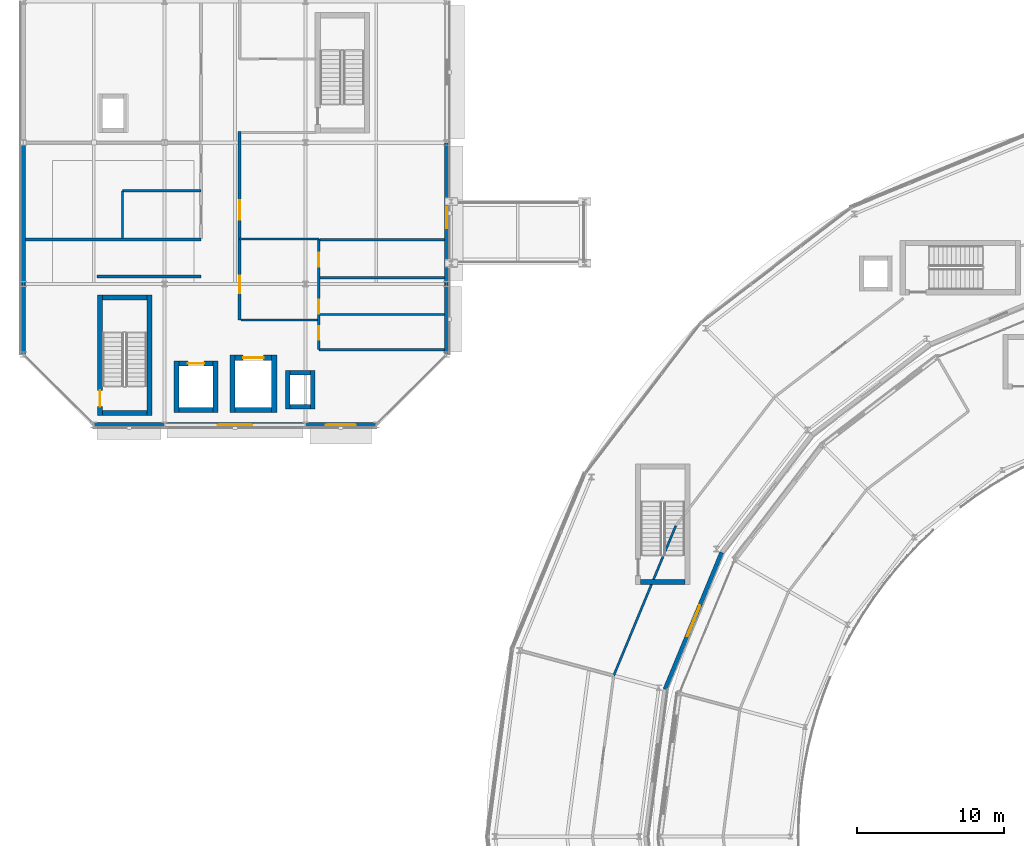
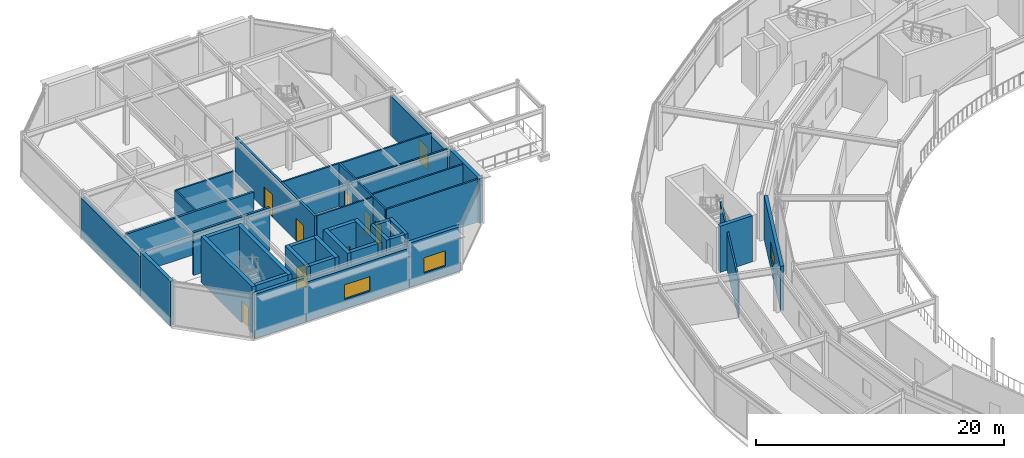
# One storey, part 120 of 157: 38 walls, 9 doors, 3 windows, 12 openings.
"""IFC4 building model written with IfcOpenShell, lengths in metres."""

from ifc_helpers import new_model, si_unit, direction, frame, frame_2d, origin, place, context, subcontext, project, spatial, rectangle, extrude, material, layer, layer_set, type_object, element, fill, save


model = new_model("IFC4")

# Units and contexts
model_context = context("Model", 3, precision=1e-05, world=origin(), true_north=direction((0.0, 1.0)))
body_context = subcontext(model_context, "Body", "Model", "MODEL_VIEW")
ifc_project = project(units=[si_unit("LENGTHUNIT", "METRE"), si_unit("AREAUNIT", "SQUARE_METRE"), si_unit("VOLUMEUNIT", "CUBIC_METRE"), si_unit("PLANEANGLEUNIT", "RADIAN"), si_unit("MASSUNIT", "GRAM", prefix="KILO")], contexts=[model_context])

# Site, building, storey
site_placement = place(None, origin())
site = spatial("IfcSite", under=ifc_project, at=site_placement, CompositionType="ELEMENT")
building_placement = place(site_placement, origin())
building = spatial("IfcBuilding", under=site, at=building_placement, Name="Almandine Court Research Institute", CompositionType="ELEMENT")
storey_placement = place(building_placement, frame((0.0, 0.0, 5.25)))
storey = spatial("IfcBuildingStorey", under=building, at=storey_placement, Name="L01", CompositionType="ELEMENT", Elevation=5.25)

# Walls
ifc_material_1 = material(Name="Air-Sealed Cleanroom Envelope Wall")
ifc_layer_1 = layer(ifc_material_1, 0.324951171875)
ifc_layer_set_1 = layer_set([ifc_layer_1], Name="Air-Sealed Cleanroom Envelope Wall")
wall_type_1 = type_object("IfcWallType", Name="Wall-EXT-CR-325", PredefinedType="SOLIDWALL", material=ifc_layer_set_1)
wall_1_placement = place(storey_placement, frame((6.0, 88.803955078125, 0.0), z_axis=(0.0, 0.0, 1.0), x_axis=(0.0, 1.0, 0.0)))
element("IfcWall", 1, at=wall_1_placement, inside=storey, type_object=wall_type_1, Name="L01 Cleanroom West Wall 1", PredefinedType="SOLIDWALL", context=body_context, shape_type="SweptSolid", body=[
    extrude(rectangle(XDim=4.7919921875, YDim=0.324951171875, at=frame_2d((2.39599609375, 0.0))), origin(), (0.0, 0.0, 1.0), 4.3701171875),
])
wall_2_placement = place(storey_placement, frame((6.0, 93.60400390625, 0.0), z_axis=(0.0, 0.0, 1.0), x_axis=(0.0, 1.0, 0.0)))
element("IfcWall", 2, at=wall_2_placement, inside=storey, type_object=wall_type_1, Name="L01 Cleanroom West Wall 2", PredefinedType="SOLIDWALL", context=body_context, shape_type="SweptSolid", body=[
    extrude(rectangle(XDim=9.592041015625, YDim=0.324951171875, at=frame_2d((4.7958984375, 0.0))), origin(), (0.0, 0.0, 1.0), 3.884033203125),
])
wall_3_placement = place(storey_placement, frame((34.800048828125, 93.595947265625, 0.0), z_axis=(0.0, 0.0, 1.0), x_axis=(0.0, -1.0, 0.0)))
element("IfcWall", 3, at=wall_3_placement, inside=storey, type_object=wall_type_1, Name="L01 Cleanroom East Wall 1", PredefinedType="SOLIDWALL", context=body_context, shape_type="SweptSolid", body=[
    extrude(rectangle(XDim=4.7919921875, YDim=0.324951171875, at=frame_2d((2.39599609375, 0.0))), origin(), (0.0, 0.0, 1.0), 4.3701171875),
])

# Wall, opening, door
wall_4_placement = place(storey_placement, frame((34.800048828125, 103.196044921875, 0.0), z_axis=(0.0, 0.0, 1.0), x_axis=(0.0, -1.0, 0.0)))
wall_4 = element("IfcWall", 4, at=wall_4_placement, inside=storey, type_object=wall_type_1, Name="L01 Cleanroom East Wall 2", PredefinedType="SOLIDWALL", context=body_context, shape_type="SweptSolid", body=[
    extrude(rectangle(XDim=9.592041015625, YDim=0.324951171875, at=frame_2d((4.7958984375, 0.0))), origin(), (0.0, 0.0, 1.0), 3.862060546875),
])
opening_1_placement = place(wall_4_placement, frame((4.39990234375, 0.0, 0.0)))
opening_1 = element("IfcOpeningElement", 5, at=opening_1_placement, cuts=wall_4, Name="Opening TD-01", PredefinedType="OPENING", context=body_context, shape_type="SweptSolid", body=[
    extrude(rectangle(XDim=1.39990234375, YDim=2.199951171875, at=frame_2d((0.699951171875, 1.10009765625))), frame((0.0, 0.17236328125, 0.0), z_axis=(0.0, -1.0, 0.0), x_axis=(1.0, 0.0, 0.0)), (0.0, 0.0, 1.0), 0.344970703125),
])
ifc_material_2 = material(Name="Thermally Broken Glazed Terrace Door")
door_type_1 = type_object("IfcDoorType", Name="Door-TER-1400", OperationType="DOUBLE_DOOR_SINGLE_SWING", PredefinedType="DOOR", material=ifc_material_2)
door_1_placement = place(opening_1_placement, origin())
door_1 = element("IfcDoor", 6, at=door_1_placement, inside=storey, type_object=door_type_1, Name="L01 Northwest Dalan Bridge Door", OperationType="DOUBLE_DOOR_SINGLE_SWING", OverallHeight=2.199951171875, OverallWidth=1.39990234375, PredefinedType="DOOR", context=body_context, shape_type="SweptSolid", body=[
    extrude(rectangle(XDim=1.39990234375, YDim=2.199951171875, at=frame_2d((0.699951171875, 1.10009765625))), frame((0.0, 0.02490234375, 0.0), z_axis=(0.0, -1.0, 0.0), x_axis=(1.0, 0.0, 0.0)), (0.0, 0.0, 1.0), 0.050048828125),
])
fill(opening_1, door_1)

# Wall, opening, window
wall_5_placement = place(storey_placement, frame((29.99609375, 84.0, 0.0), z_axis=(0.0, 0.0, 1.0), x_axis=(-1.0, 0.0, 0.0)))
wall_5 = element("IfcWall", 7, at=wall_5_placement, inside=storey, type_object=wall_type_1, Name="L01 Cleanroom South Wall 1", PredefinedType="SOLIDWALL", context=body_context, shape_type="SweptSolid", body=[
    extrude(rectangle(XDim=4.7919921875, YDim=0.324951171875, at=frame_2d((2.39599609375, 0.0))), origin(), (0.0, 0.0, 1.0), 4.3701171875),
])
opening_2_placement = place(wall_5_placement, frame((1.3759765625, 0.0, 0.949951171875)))
opening_2 = element("IfcOpeningElement", 8, at=opening_2_placement, cuts=wall_5, Name="Opening WN-24", PredefinedType="OPENING", context=body_context, shape_type="SweptSolid", body=[
    extrude(rectangle(XDim=2.0400390625, YDim=1.510009765625, at=frame_2d((1.02001953125, 0.7548828125))), frame((0.0, 0.17236328125, 0.0), z_axis=(0.0, -1.0, 0.0), x_axis=(1.0, 0.0, 0.0)), (0.0, 0.0, 1.0), 0.344970703125),
])
ifc_material_3 = material(Name="Thermally Broken Low-E Double-Glazed Window", Category="glass")
window_type_1 = type_object("IfcWindowType", Name="Win-WN-24-2040x1510", PartitioningType="SINGLE_PANEL", PredefinedType="WINDOW", material=ifc_material_3)
window_1_placement = place(opening_2_placement, origin())
window_1 = element("IfcWindow", 9, at=window_1_placement, inside=storey, type_object=window_type_1, Name="L01 Modular Recessed Low-E Window 38", OverallHeight=1.510009765625, OverallWidth=2.0400390625, PartitioningType="SINGLE_PANEL", PredefinedType="WINDOW", context=body_context, shape_type="SweptSolid", body=[
    extrude(rectangle(XDim=2.0400390625, YDim=1.510009765625, at=frame_2d((1.02001953125, 0.7548828125))), frame((0.0, 0.030029296875, 0.0), z_axis=(0.0, -1.0, 0.0), x_axis=(1.0, 0.0, 0.0)), (0.0, 0.0, 1.0), 0.06005859375),
])
fill(opening_2, window_1)

wall_6_placement = place(storey_placement, frame((25.196044921875, 84.0, 0.0), z_axis=(0.0, 0.0, 1.0), x_axis=(-1.0, 0.0, 0.0)))
wall_6 = element("IfcWall", 10, at=wall_6_placement, inside=storey, type_object=wall_type_1, Name="L01 Cleanroom South Wall 2", PredefinedType="SOLIDWALL", context=body_context, shape_type="SweptSolid", body=[
    extrude(rectangle(XDim=9.592041015625, YDim=0.324951171875, at=frame_2d((4.7958984375, 0.0))), origin(), (0.0, 0.0, 1.0), 3.884033203125),
])
opening_3_placement = place(wall_6_placement, frame((3.611083984375, 0.0, 0.949951171875)))
opening_3 = element("IfcOpeningElement", 11, at=opening_3_placement, cuts=wall_6, Name="Opening WN-25", PredefinedType="OPENING", context=body_context, shape_type="SweptSolid", body=[
    extrude(rectangle(XDim=2.3701171875, YDim=1.429931640625, at=frame_2d((1.18505859375, 0.71484375))), frame((0.0, 0.17236328125, 0.0), z_axis=(0.0, -1.0, 0.0), x_axis=(1.0, 0.0, 0.0)), (0.0, 0.0, 1.0), 0.344970703125),
])
window_type_2 = type_object("IfcWindowType", Name="Win-WN-25-2370x1430", PartitioningType="SINGLE_PANEL", PredefinedType="WINDOW", material=ifc_material_3)
window_2_placement = place(opening_3_placement, origin())
window_2 = element("IfcWindow", 12, at=window_2_placement, inside=storey, type_object=window_type_2, Name="L01 Modular Recessed Low-E Window 39", OverallHeight=1.429931640625, OverallWidth=2.3701171875, PartitioningType="SINGLE_PANEL", PredefinedType="WINDOW", context=body_context, shape_type="SweptSolid", body=[
    extrude(rectangle(XDim=2.3701171875, YDim=1.429931640625, at=frame_2d((1.18505859375, 0.71484375))), frame((0.0, 0.030029296875, 0.0), z_axis=(0.0, -1.0, 0.0), x_axis=(1.0, 0.0, 0.0)), (0.0, 0.0, 1.0), 0.06005859375),
])
fill(opening_3, window_2)

# Wall
wall_7_placement = place(storey_placement, frame((15.595947265625, 84.0, 0.0), z_axis=(0.0, 0.0, 1.0), x_axis=(-1.0, 0.0, 0.0)))
element("IfcWall", 13, at=wall_7_placement, inside=storey, type_object=wall_type_1, Name="L01 Cleanroom South Wall 3", PredefinedType="SOLIDWALL", context=body_context, shape_type="SweptSolid", body=[
    extrude(rectangle(XDim=4.7919921875, YDim=0.324951171875, at=frame_2d((2.39599609375, 0.0))), origin(), (0.0, 0.0, 1.0), 4.3701171875),
])

# Wall, opening, window
ifc_material_4 = material(Name="Insulated Ochre Terracotta Rainscreen Wall", Category="masonry")
ifc_layer_2 = layer(ifc_material_4, 0.2900390625)
ifc_layer_set_2 = layer_set([ifc_layer_2], Name="Insulated Ochre Terracotta Rainscreen Wall")
wall_type_2 = type_object("IfcWallType", Name="Wall-EXT-TERR-290", PredefinedType="SOLIDWALL", material=ifc_layer_set_2)
wall_8_placement = place(storey_placement, frame((53.51708984375, 75.324951171875, 0.0), z_axis=(0.0, 0.0, 1.0), x_axis=(-0.382733240508, -0.92385889973, 0.0)))
wall_8 = element("IfcWall", 14, at=wall_8_placement, inside=storey, type_object=wall_type_2, Name="L01 Drum Inner Gallery Wall 10", PredefinedType="SOLIDWALL", context=body_context, shape_type="SweptSolid", body=[
    extrude(rectangle(XDim=10.08056640625, YDim=0.2900390625, at=frame_2d((5.040283203125, 0.0))), origin(), (0.0, 0.0, 1.0), 4.3701171875),
])
opening_4_placement = place(wall_8_placement, frame((3.909912109375, 0.0, 0.949951171875)))
opening_4 = element("IfcOpeningElement", 15, at=opening_4_placement, cuts=wall_8, Name="Opening WN-98", PredefinedType="OPENING", context=body_context, shape_type="SweptSolid", body=[
    extrude(rectangle(XDim=2.260009765625, YDim=1.669921875, at=frame_2d((1.1298828125, 0.8349609375))), frame((0.0, 0.155029296875, 0.0), z_axis=(0.0, -1.0, 0.0), x_axis=(1.0, 0.0, 0.0)), (0.0, 0.0, 1.0), 0.31005859375),
])
window_type_3 = type_object("IfcWindowType", Name="Win-WN-98-2260x1670", PartitioningType="SINGLE_PANEL", PredefinedType="WINDOW", material=ifc_material_3)
window_3_placement = place(opening_4_placement, origin())
window_3 = element("IfcWindow", 16, at=window_3_placement, inside=storey, type_object=window_type_3, Name="L01 Modular Recessed Low-E Window 252", OverallHeight=1.669921875, OverallWidth=2.260009765625, PartitioningType="SINGLE_PANEL", PredefinedType="WINDOW", context=body_context, shape_type="SweptSolid", body=[
    extrude(rectangle(XDim=2.260009765625, YDim=1.669921875, at=frame_2d((1.1298828125, 0.8349609375))), frame((0.0, 0.030029296875, 0.0), z_axis=(0.0, -1.0, 0.0), x_axis=(1.0, 0.0, 0.0)), (0.0, 0.0, 1.0), 0.06005859375),
])
fill(opening_4, window_3)

# Walls
ifc_material_5 = material(Name="Two-Hour Fire-Barrier Enclosure Wall")
ifc_layer_3 = layer(ifc_material_5, 0.199951171875)
ifc_layer_set_3 = layer_set([ifc_layer_3], Name="Two-Hour Fire-Barrier Enclosure Wall")
wall_type_3 = type_object("IfcWallType", Name="Wall-FIRE-200", PredefinedType="SOLIDWALL", material=ifc_layer_set_3)
wall_9_placement = place(storey_placement, frame((6.159912109375, 96.6201171875, 0.0), z_axis=(0.0, 0.0, 1.0), x_axis=(1.0, 0.0, 0.0)))
element("IfcWall", 17, at=wall_9_placement, inside=storey, type_object=wall_type_3, Name="L01 Interior Partition W-V3-L01-CSW", PredefinedType="SOLIDWALL", context=body_context, shape_type="SweptSolid", body=[
    extrude(rectangle(XDim=11.940185546875, YDim=0.199951171875, at=frame_2d((5.97021484375, 0.0))), origin(), (0.0, 0.0, 1.0), 4.22998046875),
])
wall_10_placement = place(storey_placement, frame((11.02001953125, 94.10009765625, 0.0), z_axis=(0.0, 0.0, 1.0), x_axis=(1.0, 0.0, 0.0)))
element("IfcWall", 18, at=wall_10_placement, inside=storey, type_object=wall_type_3, Name="L01 Interior Partition W-V3-L01-WS", PredefinedType="SOLIDWALL", context=body_context, shape_type="SweptSolid", body=[
    extrude(rectangle(XDim=7.080078125, YDim=0.199951171875, at=frame_2d((3.5400390625, 0.0))), origin(), (0.0, 0.0, 1.0), 4.22998046875),
])

# Wall, openings, doors
wall_11_placement = place(storey_placement, frame((20.719970703125, 91.14990234375, 0.0), z_axis=(0.0, 0.0, 1.0), x_axis=(0.0, 1.0, 0.0)))
wall_11 = element("IfcWall", 19, at=wall_11_placement, inside=storey, type_object=wall_type_3, Name="L01 Interior Partition W-V3-L01-CE", PredefinedType="SOLIDWALL", context=body_context, shape_type="SweptSolid", body=[
    extrude(rectangle(XDim=12.800048828125, YDim=0.199951171875, at=frame_2d((6.39990234375, 0.0))), origin(), (0.0, 0.0, 1.0), 4.22998046875),
])
opening_5_placement = place(wall_11_placement, frame((1.800048828125, 0.0, 0.0)))
opening_5 = element("IfcOpeningElement", 20, at=opening_5_placement, cuts=wall_11, Name="Opening FD-LAB", PredefinedType="OPENING", context=body_context, shape_type="SweptSolid", body=[
    extrude(rectangle(XDim=1.199951171875, YDim=2.199951171875, at=frame_2d((0.60009765625, 1.10009765625))), frame((0.0, 0.10986328125, 0.0), z_axis=(0.0, -1.0, 0.0), x_axis=(1.0, 0.0, 0.0)), (0.0, 0.0, 1.0), 0.219970703125),
])
opening_6_placement = place(wall_11_placement, frame((6.800048828125, 0.0, 0.0)))
opening_6 = element("IfcOpeningElement", 21, at=opening_6_placement, cuts=wall_11, Name="Opening FD-LB2", PredefinedType="OPENING", context=body_context, shape_type="SweptSolid", body=[
    extrude(rectangle(XDim=1.35009765625, YDim=2.199951171875, at=frame_2d((0.675048828125, 1.10009765625))), frame((0.0, 0.10986328125, 0.0), z_axis=(0.0, -1.0, 0.0), x_axis=(1.0, 0.0, 0.0)), (0.0, 0.0, 1.0), 0.219970703125),
])
ifc_material_6 = material(Name="Fire-Rated Laboratory Containment Door")
door_type_2 = type_object("IfcDoorType", Name="Door-FD-LAB-1200", OperationType="NOTDEFINED", PredefinedType="DOOR", material=ifc_material_6)
door_2_placement = place(opening_5_placement, origin())
door_2 = element("IfcDoor", 22, at=door_2_placement, inside=storey, type_object=door_type_2, Name="L01 Sub-Fab Door", OperationType="SINGLE_SWING_RIGHT", OverallHeight=2.199951171875, OverallWidth=1.199951171875, PredefinedType="DOOR", context=body_context, shape_type="SweptSolid", body=[
    extrude(rectangle(XDim=1.199951171875, YDim=2.199951171875, at=frame_2d((0.60009765625, 1.10009765625))), frame((0.0, 0.02490234375, 0.0), z_axis=(0.0, -1.0, 0.0), x_axis=(1.0, 0.0, 0.0)), (0.0, 0.0, 1.0), 0.050048828125),
])
fill(opening_5, door_2)
ifc_material_7 = material(Name="Wide Fire-Rated Cleanroom and Lab Door")
door_type_3 = type_object("IfcDoorType", Name="Door-FD-LAB-1350", OperationType="NOTDEFINED", PredefinedType="DOOR", material=ifc_material_7)
door_3_placement = place(opening_6_placement, origin())
door_3 = element("IfcDoor", 23, at=door_3_placement, inside=storey, type_object=door_type_3, Name="L01 ISO 7 Clean Room Door", OperationType="SINGLE_SWING_LEFT", OverallHeight=2.199951171875, OverallWidth=1.35009765625, PredefinedType="DOOR", context=body_context, shape_type="SweptSolid", body=[
    extrude(rectangle(XDim=1.35009765625, YDim=2.199951171875, at=frame_2d((0.675048828125, 1.10009765625))), frame((0.0, 0.02490234375, 0.0), z_axis=(0.0, -1.0, 0.0), x_axis=(1.0, 0.0, 0.0)), (0.0, 0.0, 1.0), 0.050048828125),
])
fill(opening_6, door_3)

# Walls
ifc_material_8 = material(Name="Acoustic Steel-Stud Gypsum Partition Wall", Category="steel")
ifc_layer_4 = layer(ifc_material_8, 0.14990234375)
ifc_layer_set_4 = layer_set([ifc_layer_4], Name="Acoustic Steel-Stud Gypsum Partition Wall")
wall_type_4 = type_object("IfcWallType", Name="Wall-PART-150", PredefinedType="PARTITIONING", material=ifc_layer_set_4)
for number, where, z_axis, x_axis, name in (
    (24, (26.179931640625, 91.52001953125, 0.0), (0.0, 0.0, 1.0), (1.0, 0.0, 0.0), "L01 Interior Partition W-V3-L01-WCH-1"),
    (25, (26.179931640625, 94.02001953125, 0.0), (0.0, 0.0, 1.0), (1.0, 0.0, 0.0), "L01 Interior Partition W-V3-L01-WCH-2"),
    (26, (26.179931640625, 96.60009765625, 0.0), (0.0, 0.0, 1.0), (1.0, 0.0, 0.0), "L01 Interior Partition W-V3-L01-WCH-3"),
):
    element("IfcWall", number, at=place(storey_placement, frame(where, z_axis=z_axis, x_axis=x_axis)), inside=storey, type_object=wall_type_4, Name=name, PredefinedType="PARTITIONING", context=body_context, shape_type="SweptSolid", body=[
        extrude(rectangle(XDim=8.4599609375, YDim=0.14990234375, at=frame_2d((4.22998046875, 0.0))), origin(), (0.0, 0.0, 1.0), 4.22998046875),
    ])
wall_12_placement = place(storey_placement, frame((26.10009765625, 89.1201171875, 0.0), z_axis=(0.0, 0.0, 1.0), x_axis=(1.0, 0.0, 0.0)))
element("IfcWall", 27, at=wall_12_placement, inside=storey, type_object=wall_type_4, Name="L01 Interior Partition W-V3-L01-WCS", PredefinedType="PARTITIONING", context=body_context, shape_type="SweptSolid", body=[
    extrude(rectangle(XDim=8.539794921875, YDim=0.14990234375, at=frame_2d((4.27001953125, 0.0))), origin(), (0.0, 0.0, 1.0), 4.22998046875),
])

# Wall, openings, doors
wall_13_placement = place(storey_placement, frame((26.10009765625, 89.1201171875, 0.0), z_axis=(0.0, 0.0, 1.0), x_axis=(0.0, 1.0, 0.0)))
wall_13 = element("IfcWall", 28, at=wall_13_placement, inside=storey, type_object=wall_type_4, Name="L01 Interior Partition W-V3-L01-WC-ALL", PredefinedType="PARTITIONING", context=body_context, shape_type="SweptSolid", body=[
    extrude(rectangle(XDim=7.52978515625, YDim=0.14990234375, at=frame_2d((3.764892578125, 0.0))), origin(), (0.0, 0.0, 1.0), 4.22998046875),
])
opening_7_placement = place(wall_13_placement, frame((0.659912109375, 0.0, 0.0)))
opening_7 = element("IfcOpeningElement", 29, at=opening_7_placement, cuts=wall_13, Name="Opening D-01", PredefinedType="OPENING", context=body_context, shape_type="SweptSolid", body=[
    extrude(rectangle(XDim=0.949951171875, YDim=2.10009765625, at=frame_2d((0.47509765625, 1.050048828125))), frame((0.0, 0.0849609375, 0.0), z_axis=(0.0, -1.0, 0.0), x_axis=(1.0, 0.0, 0.0)), (0.0, 0.0, 1.0), 0.169921875),
])
opening_8_placement = place(wall_13_placement, frame((2.43994140625, 0.0, 0.0)))
opening_8 = element("IfcOpeningElement", 30, at=opening_8_placement, cuts=wall_13, Name="Opening D-01", PredefinedType="OPENING", context=body_context, shape_type="SweptSolid", body=[
    extrude(rectangle(XDim=0.949951171875, YDim=2.10009765625, at=frame_2d((0.47509765625, 1.050048828125))), frame((0.0, 0.0849609375, 0.0), z_axis=(0.0, -1.0, 0.0), x_axis=(1.0, 0.0, 0.0)), (0.0, 0.0, 1.0), 0.169921875),
])
opening_9_placement = place(wall_13_placement, frame((5.639892578125, 0.0, 0.0)))
opening_9 = element("IfcOpeningElement", 31, at=opening_9_placement, cuts=wall_13, Name="Opening D-01", PredefinedType="OPENING", context=body_context, shape_type="SweptSolid", body=[
    extrude(rectangle(XDim=0.949951171875, YDim=2.10009765625, at=frame_2d((0.47509765625, 1.050048828125))), frame((0.0, 0.0849609375, 0.0), z_axis=(0.0, -1.0, 0.0), x_axis=(1.0, 0.0, 0.0)), (0.0, 0.0, 1.0), 0.169921875),
])
ifc_material_9 = material(Name="Solid-Core Timber Acoustic Room Door", Category="wood")
door_type_4 = type_object("IfcDoorType", Name="Door-INT-950", OperationType="NOTDEFINED", PredefinedType="DOOR", material=ifc_material_9)
door_4_placement = place(opening_7_placement, origin())
door_4 = element("IfcDoor", 32, at=door_4_placement, inside=storey, type_object=door_type_4, Name="L01 V3 Male Toilet Door", OperationType="SINGLE_SWING_LEFT", OverallHeight=2.10009765625, OverallWidth=0.949951171875, PredefinedType="DOOR", context=body_context, shape_type="SweptSolid", body=[
    extrude(rectangle(XDim=0.949951171875, YDim=2.10009765625, at=frame_2d((0.47509765625, 1.050048828125))), frame((0.0, 0.02490234375, 0.0), z_axis=(0.0, -1.0, 0.0), x_axis=(1.0, 0.0, 0.0)), (0.0, 0.0, 1.0), 0.050048828125),
])
fill(opening_7, door_4)
door_5_placement = place(opening_8_placement, origin())
door_5 = element("IfcDoor", 33, at=door_5_placement, inside=storey, type_object=door_type_4, Name="L01 V3 Female Toilet Door", OperationType="SINGLE_SWING_RIGHT", OverallHeight=2.10009765625, OverallWidth=0.949951171875, PredefinedType="DOOR", context=body_context, shape_type="SweptSolid", body=[
    extrude(rectangle(XDim=0.949951171875, YDim=2.10009765625, at=frame_2d((0.47509765625, 1.050048828125))), frame((0.0, 0.02490234375, 0.0), z_axis=(0.0, -1.0, 0.0), x_axis=(1.0, 0.0, 0.0)), (0.0, 0.0, 1.0), 0.050048828125),
])
fill(opening_8, door_5)
door_6_placement = place(opening_9_placement, origin())
door_6 = element("IfcDoor", 34, at=door_6_placement, inside=storey, type_object=door_type_4, Name="L01 V3 Accessible WC Door", OperationType="SINGLE_SWING_LEFT", OverallHeight=2.10009765625, OverallWidth=0.949951171875, PredefinedType="DOOR", context=body_context, shape_type="SweptSolid", body=[
    extrude(rectangle(XDim=0.949951171875, YDim=2.10009765625, at=frame_2d((0.47509765625, 1.050048828125))), frame((0.0, 0.02490234375, 0.0), z_axis=(0.0, -1.0, 0.0), x_axis=(1.0, 0.0, 0.0)), (0.0, 0.0, 1.0), 0.050048828125),
])
fill(opening_9, door_6)

# Walls
wall_14_placement = place(storey_placement, frame((12.75, 96.679931640625, 0.0), z_axis=(0.0, 0.0, 1.0), x_axis=(0.0, 1.0, 0.0)))
element("IfcWall", 35, at=wall_14_placement, inside=storey, type_object=wall_type_4, Name="L01 Interior Partition W-V3-L01-GWN", PredefinedType="PARTITIONING", context=body_context, shape_type="SweptSolid", body=[
    extrude(rectangle(XDim=3.25, YDim=0.14990234375, at=frame_2d((1.625, 0.0))), origin(), (0.0, 0.0, 1.0), 4.22998046875),
])
wall_15_placement = place(storey_placement, frame((12.75, 99.929931640625, 0.0), z_axis=(0.0, 0.0, 1.0), x_axis=(1.0, 0.0, 0.0)))
element("IfcWall", 36, at=wall_15_placement, inside=storey, type_object=wall_type_4, Name="L01 Interior Partition W-V3-L01-GWNN", PredefinedType="PARTITIONING", context=body_context, shape_type="SweptSolid", body=[
    extrude(rectangle(XDim=5.35009765625, YDim=0.14990234375, at=frame_2d((2.675048828125, 0.0))), origin(), (0.0, 0.0, 1.0), 4.22998046875),
])
wall_16_placement = place(storey_placement, frame((20.820068359375, 91.14990234375, 0.0), z_axis=(0.0, 0.0, 1.0), x_axis=(1.0, 0.0, 0.0)))
element("IfcWall", 37, at=wall_16_placement, inside=storey, type_object=wall_type_4, Name="L01 Interior Partition W-V3-L01-CES", PredefinedType="PARTITIONING", context=body_context, shape_type="SweptSolid", body=[
    extrude(rectangle(XDim=5.199951171875, YDim=0.14990234375, at=frame_2d((2.60009765625, 0.0))), origin(), (0.0, 0.0, 1.0), 4.22998046875),
])
wall_17_placement = place(storey_placement, frame((20.719970703125, 96.64990234375, 0.0), z_axis=(0.0, 0.0, 1.0), x_axis=(1.0, 0.0, 0.0)))
element("IfcWall", 38, at=wall_17_placement, inside=storey, type_object=wall_type_4, Name="L01 Interior Partition W-V3-L01-SUBN", PredefinedType="PARTITIONING", context=body_context, shape_type="SweptSolid", body=[
    extrude(rectangle(XDim=5.380126953125, YDim=0.14990234375, at=frame_2d((2.68994140625, 0.0))), origin(), (0.0, 0.0, 1.0), 4.22998046875),
])
wall_18_placement = place(storey_placement, frame((50.384033203125, 77.139892578125, 0.0), z_axis=(0.0, 0.0, 1.0), x_axis=(-0.382644845446, -0.923895514793, 0.0)))
element("IfcWall", 39, at=wall_18_placement, inside=storey, type_object=wall_type_4, Name="L01 Interior Partition W-V5-L01-CHD-10", PredefinedType="PARTITIONING", context=body_context, shape_type="SweptSolid", body=[
    extrude(rectangle(XDim=11.03662109375, YDim=0.14990234375, at=frame_2d((5.518310546875, 0.0))), origin(), (0.0, 0.0, 1.0), 3.737060546875),
])
ifc_material_10 = material(Name="Concrete C40/50", Category="concrete")
ifc_layer_5 = layer(ifc_material_10, 0.300048828125)
ifc_layer_set_5 = layer_set([ifc_layer_5], Name="Concrete C40/50")
wall_type_5 = type_object("IfcWallType", Name="Wall-SW-CORE-300", PredefinedType="SHEAR", material=ifc_layer_set_5)
wall_19_placement = place(storey_placement, frame((24.0, 85.10009765625, 0.0), z_axis=(0.0, 0.0, 1.0), x_axis=(0.0, 1.0, 0.0)))
element("IfcWall", 40, at=wall_19_placement, inside=storey, type_object=wall_type_5, Name="L01 MEP Riser RS-V3A W Shear Wall", PredefinedType="SHEAR", context=body_context, shape_type="SweptSolid", body=[
    extrude(rectangle(XDim=2.599853515625, YDim=0.300048828125, at=frame_2d((1.2998046875, 0.0))), origin(), (0.0, 0.0, 1.0), 4.3701171875),
])
wall_20_placement = place(storey_placement, frame((24.14990234375, 87.550048828125, 0.0), z_axis=(0.0, 0.0, 1.0), x_axis=(1.0, 0.0, 0.0)))
element("IfcWall", 41, at=wall_20_placement, inside=storey, type_object=wall_type_5, Name="L01 MEP Riser RS-V3A N Shear Wall", PredefinedType="SHEAR", context=body_context, shape_type="SweptSolid", body=[
    extrude(rectangle(XDim=1.400146484375, YDim=0.300048828125, at=frame_2d((0.7001953125, 0.0))), origin(), (0.0, 0.0, 1.0), 4.3701171875),
])
wall_21_placement = place(storey_placement, frame((25.699951171875, 87.699951171875, 0.0), z_axis=(0.0, 0.0, 1.0), x_axis=(0.0, -1.0, 0.0)))
element("IfcWall", 42, at=wall_21_placement, inside=storey, type_object=wall_type_5, Name="L01 MEP Riser RS-V3A E Shear Wall", PredefinedType="SHEAR", context=body_context, shape_type="SweptSolid", body=[
    extrude(rectangle(XDim=2.599853515625, YDim=0.300048828125, at=frame_2d((1.2998046875, 0.0))), origin(), (0.0, 0.0, 1.0), 4.3701171875),
])
wall_22_placement = place(storey_placement, frame((25.550048828125, 85.25, 0.0), z_axis=(0.0, 0.0, 1.0), x_axis=(-1.0, 0.0, 0.0)))
element("IfcWall", 43, at=wall_22_placement, inside=storey, type_object=wall_type_5, Name="L01 MEP Riser RS-V3A S Shear Wall", PredefinedType="SHEAR", context=body_context, shape_type="SweptSolid", body=[
    extrude(rectangle(XDim=1.400146484375, YDim=0.300048828125, at=frame_2d((0.7001953125, 0.0))), origin(), (0.0, 0.0, 1.0), 4.3701171875),
])

# Wall, opening, door
ifc_layer_6 = layer(ifc_material_10, 0.35009765625)
ifc_layer_set_6 = layer_set([ifc_layer_6], Name="Concrete C40/50")
wall_type_6 = type_object("IfcWallType", Name="Wall-SW-CORE-350", PredefinedType="SHEAR", material=ifc_layer_set_6)
wall_23_placement = place(storey_placement, frame((11.22509765625, 84.64990234375, 0.0), z_axis=(0.0, 0.0, 1.0), x_axis=(0.0, 1.0, 0.0)))
wall_23 = element("IfcWall", 44, at=wall_23_placement, inside=storey, type_object=wall_type_6, Name="L01 ST-05 W Shear Wall", PredefinedType="SHEAR", context=body_context, shape_type="SweptSolid", body=[
    extrude(rectangle(XDim=8.2001953125, YDim=0.35009765625, at=frame_2d((4.10009765625, 0.0))), origin(), (0.0, 0.0, 1.0), 4.550048828125),
])
opening_10_placement = place(wall_23_placement, frame((0.60009765625, 0.0, 0.0)))
opening_10 = element("IfcOpeningElement", 45, at=opening_10_placement, cuts=wall_23, Name="Opening FD-STAIR", PredefinedType="OPENING", context=body_context, shape_type="SweptSolid", body=[
    extrude(rectangle(XDim=1.10009765625, YDim=2.14990234375, at=frame_2d((0.550048828125, 1.074951171875))), frame((0.0, 0.18505859375, 0.0), z_axis=(0.0, -1.0, 0.0), x_axis=(1.0, 0.0, 0.0)), (0.0, 0.0, 1.0), 0.3701171875),
])
ifc_material_11 = material(Name="Self-Closing Steel Exit Stair Fire Door", Category="steel")
door_type_5 = type_object("IfcDoorType", Name="Door-FD-STAIR-1100", OperationType="NOTDEFINED", PredefinedType="DOOR", material=ifc_material_11)
door_7_placement = place(opening_10_placement, origin())
door_7 = element("IfcDoor", 46, at=door_7_placement, inside=storey, type_object=door_type_5, Name="L01 Exit Stair ST-05 Fire Door", OperationType="SINGLE_SWING_LEFT", OverallHeight=2.14990234375, OverallWidth=1.10009765625, PredefinedType="DOOR", context=body_context, shape_type="SweptSolid", body=[
    extrude(rectangle(XDim=1.10009765625, YDim=2.14990234375, at=frame_2d((0.550048828125, 1.074951171875))), frame((0.0, 0.02490234375, 0.0), z_axis=(0.0, -1.0, 0.0), x_axis=(1.0, 0.0, 0.0)), (0.0, 0.0, 1.0), 0.050048828125),
])
fill(opening_10, door_7)

# Walls
wall_24_placement = place(storey_placement, frame((11.39990234375, 92.675048828125, 0.0), z_axis=(0.0, 0.0, 1.0), x_axis=(1.0, 0.0, 0.0)))
element("IfcWall", 47, at=wall_24_placement, inside=storey, type_object=wall_type_6, Name="L01 ST-05 N Shear Wall", PredefinedType="SHEAR", context=body_context, shape_type="SweptSolid", body=[
    extrude(rectangle(XDim=3.0, YDim=0.35009765625, at=frame_2d((1.5, 0.0))), origin(), (0.0, 0.0, 1.0), 4.550048828125),
])
wall_25_placement = place(storey_placement, frame((14.574951171875, 92.85009765625, 0.0), z_axis=(0.0, 0.0, 1.0), x_axis=(0.0, -1.0, 0.0)))
element("IfcWall", 48, at=wall_25_placement, inside=storey, type_object=wall_type_6, Name="L01 ST-05 E Shear Wall", PredefinedType="SHEAR", context=body_context, shape_type="SweptSolid", body=[
    extrude(rectangle(XDim=8.2001953125, YDim=0.35009765625, at=frame_2d((4.10009765625, 0.0))), origin(), (0.0, 0.0, 1.0), 4.550048828125),
])
for number, where, z_axis, x_axis, name in (
    (49, (14.39990234375, 84.824951171875, 0.0), (0.0, 0.0, 1.0), (-1.0, 0.0, 0.0), "L01 ST-05 S Shear Wall"),
    (50, (51.0, 73.324951171875, 0.0), (0.0, 0.0, 1.0), (-1.0, 0.0, 0.0), "L01 ST-15 S Shear Wall"),
):
    element("IfcWall", number, at=place(storey_placement, frame(where, z_axis=z_axis, x_axis=x_axis)), inside=storey, type_object=wall_type_6, Name=name, PredefinedType="SHEAR", context=body_context, shape_type="SweptSolid", body=[
        extrude(rectangle(XDim=3.0, YDim=0.35009765625, at=frame_2d((1.5, 0.0))), origin(), (0.0, 0.0, 1.0), 4.550048828125),
    ])
wall_26_placement = place(storey_placement, frame((16.425048828125, 84.85009765625, 0.0), z_axis=(0.0, 0.0, 1.0), x_axis=(0.0, 1.0, 0.0)))
element("IfcWall", 51, at=wall_26_placement, inside=storey, type_object=wall_type_6, Name="L01 PL-02 Hoistway W Shear Wall", PredefinedType="SHEAR", context=body_context, shape_type="SweptSolid", body=[
    extrude(rectangle(XDim=3.5, YDim=0.35009765625, at=frame_2d((1.75, 0.0))), origin(), (0.0, 0.0, 1.0), 4.550048828125),
])

# Wall, opening, door
wall_27_placement = place(storey_placement, frame((16.60009765625, 88.175048828125, 0.0), z_axis=(0.0, 0.0, 1.0), x_axis=(1.0, 0.0, 0.0)))
wall_27 = element("IfcWall", 52, at=wall_27_placement, inside=storey, type_object=wall_type_6, Name="L01 PL-02 Hoistway N Shear Wall", PredefinedType="SHEAR", context=body_context, shape_type="SweptSolid", body=[
    extrude(rectangle(XDim=2.2998046875, YDim=0.35009765625, at=frame_2d((1.14990234375, 0.0))), origin(), (0.0, 0.0, 1.0), 4.550048828125),
])
opening_11_placement = place(wall_27_placement, frame((0.60009765625, 0.0, 0.0)))
opening_11 = element("IfcOpeningElement", 53, at=opening_11_placement, cuts=wall_27, Name="Opening LD-01", PredefinedType="OPENING", context=body_context, shape_type="SweptSolid", body=[
    extrude(rectangle(XDim=1.10009765625, YDim=2.14990234375, at=frame_2d((0.550048828125, 1.074951171875))), frame((0.0, 0.18505859375, 0.0), z_axis=(0.0, -1.0, 0.0), x_axis=(1.0, 0.0, 0.0)), (0.0, 0.0, 1.0), 0.3701171875),
])
ifc_material_12 = material(Name="Stainless Steel Lift Landing Sliding Door", Category="steel")
door_type_6 = type_object("IfcDoorType", Name="Door-LD-PASS-1100", OperationType="SLIDING_TO_LEFT", PredefinedType="USERDEFINED", material=ifc_material_12)
door_8_placement = place(opening_11_placement, origin())
door_8 = element("IfcDoor", 54, at=door_8_placement, inside=storey, type_object=door_type_6, Name="L01 Cleanroom Pavilion Passenger Lift PL-02 Sliding Landing Door", ObjectType="LANDING DOOR", OperationType="SLIDING_TO_LEFT", OverallHeight=2.14990234375, OverallWidth=1.10009765625, PredefinedType="USERDEFINED", context=body_context, shape_type="SweptSolid", body=[
    extrude(rectangle(XDim=1.10009765625, YDim=2.14990234375, at=frame_2d((0.550048828125, 1.074951171875))), frame((0.0, 0.02490234375, 0.0), z_axis=(0.0, -1.0, 0.0), x_axis=(1.0, 0.0, 0.0)), (0.0, 0.0, 1.0), 0.050048828125),
])
fill(opening_11, door_8)

# Walls
wall_28_placement = place(storey_placement, frame((19.074951171875, 88.35009765625, 0.0), z_axis=(0.0, 0.0, 1.0), x_axis=(0.0, -1.0, 0.0)))
element("IfcWall", 55, at=wall_28_placement, inside=storey, type_object=wall_type_6, Name="L01 PL-02 Hoistway E Shear Wall", PredefinedType="SHEAR", context=body_context, shape_type="SweptSolid", body=[
    extrude(rectangle(XDim=3.5, YDim=0.35009765625, at=frame_2d((1.75, 0.0))), origin(), (0.0, 0.0, 1.0), 4.550048828125),
])
wall_29_placement = place(storey_placement, frame((18.89990234375, 85.02490234375, 0.0), z_axis=(0.0, 0.0, 1.0), x_axis=(-1.0, 0.0, 0.0)))
element("IfcWall", 56, at=wall_29_placement, inside=storey, type_object=wall_type_6, Name="L01 PL-02 Hoistway S Shear Wall", PredefinedType="SHEAR", context=body_context, shape_type="SweptSolid", body=[
    extrude(rectangle(XDim=2.2998046875, YDim=0.35009765625, at=frame_2d((1.14990234375, 0.0))), origin(), (0.0, 0.0, 1.0), 4.550048828125),
])
wall_30_placement = place(storey_placement, frame((20.22509765625, 84.85009765625, 0.0), z_axis=(0.0, 0.0, 1.0), x_axis=(0.0, 1.0, 0.0)))
element("IfcWall", 57, at=wall_30_placement, inside=storey, type_object=wall_type_6, Name="L01 GL-02 Hoistway W Shear Wall", PredefinedType="SHEAR", context=body_context, shape_type="SweptSolid", body=[
    extrude(rectangle(XDim=3.89990234375, YDim=0.35009765625, at=frame_2d((1.949951171875, 0.0))), origin(), (0.0, 0.0, 1.0), 4.550048828125),
])

# Wall, opening, door
wall_31_placement = place(storey_placement, frame((20.39990234375, 88.574951171875, 0.0), z_axis=(0.0, 0.0, 1.0), x_axis=(1.0, 0.0, 0.0)))
wall_31 = element("IfcWall", 58, at=wall_31_placement, inside=storey, type_object=wall_type_6, Name="L01 GL-02 Hoistway N Shear Wall", PredefinedType="SHEAR", context=body_context, shape_type="SweptSolid", body=[
    extrude(rectangle(XDim=2.5, YDim=0.35009765625, at=frame_2d((1.25, 0.0))), origin(), (0.0, 0.0, 1.0), 4.550048828125),
])
opening_12_placement = place(wall_31_placement, frame((0.550048828125, 0.0, 0.0)))
opening_12 = element("IfcOpeningElement", 59, at=opening_12_placement, cuts=wall_31, Name="Opening LD-03", PredefinedType="OPENING", context=body_context, shape_type="SweptSolid", body=[
    extrude(rectangle(XDim=1.39990234375, YDim=2.300048828125, at=frame_2d((0.699951171875, 1.14990234375))), frame((0.0, 0.18505859375, 0.0), z_axis=(0.0, -1.0, 0.0), x_axis=(1.0, 0.0, 0.0)), (0.0, 0.0, 1.0), 0.3701171875),
])
ifc_material_13 = material(Name="Heavy Goods Lift Landing Sliding Door")
door_type_7 = type_object("IfcDoorType", Name="Door-LD-GOOD-1400", OperationType="SLIDING_TO_LEFT", PredefinedType="USERDEFINED", material=ifc_material_13)
door_9_placement = place(opening_12_placement, origin())
door_9 = element("IfcDoor", 60, at=door_9_placement, inside=storey, type_object=door_type_7, Name="L01 Cleanroom Equipment Goods Lift GL-02 Sliding Landing Door", ObjectType="LANDING DOOR", OperationType="SLIDING_TO_LEFT", OverallHeight=2.300048828125, OverallWidth=1.39990234375, PredefinedType="USERDEFINED", context=body_context, shape_type="SweptSolid", body=[
    extrude(rectangle(XDim=1.39990234375, YDim=2.300048828125, at=frame_2d((0.699951171875, 1.14990234375))), frame((0.0, 0.02490234375, 0.0), z_axis=(0.0, -1.0, 0.0), x_axis=(1.0, 0.0, 0.0)), (0.0, 0.0, 1.0), 0.050048828125),
])
fill(opening_12, door_9)

# Walls
wall_32_placement = place(storey_placement, frame((23.074951171875, 88.75, 0.0), z_axis=(0.0, 0.0, 1.0), x_axis=(0.0, -1.0, 0.0)))
element("IfcWall", 61, at=wall_32_placement, inside=storey, type_object=wall_type_6, Name="L01 GL-02 Hoistway E Shear Wall", PredefinedType="SHEAR", context=body_context, shape_type="SweptSolid", body=[
    extrude(rectangle(XDim=3.89990234375, YDim=0.35009765625, at=frame_2d((1.949951171875, 0.0))), origin(), (0.0, 0.0, 1.0), 4.550048828125),
])
wall_33_placement = place(storey_placement, frame((22.89990234375, 85.02490234375, 0.0), z_axis=(0.0, 0.0, 1.0), x_axis=(-1.0, 0.0, 0.0)))
element("IfcWall", 62, at=wall_33_placement, inside=storey, type_object=wall_type_6, Name="L01 GL-02 Hoistway S Shear Wall", PredefinedType="SHEAR", context=body_context, shape_type="SweptSolid", body=[
    extrude(rectangle(XDim=2.5, YDim=0.35009765625, at=frame_2d((1.25, 0.0))), origin(), (0.0, 0.0, 1.0), 4.550048828125),
])

save(model, "model.ifc")
